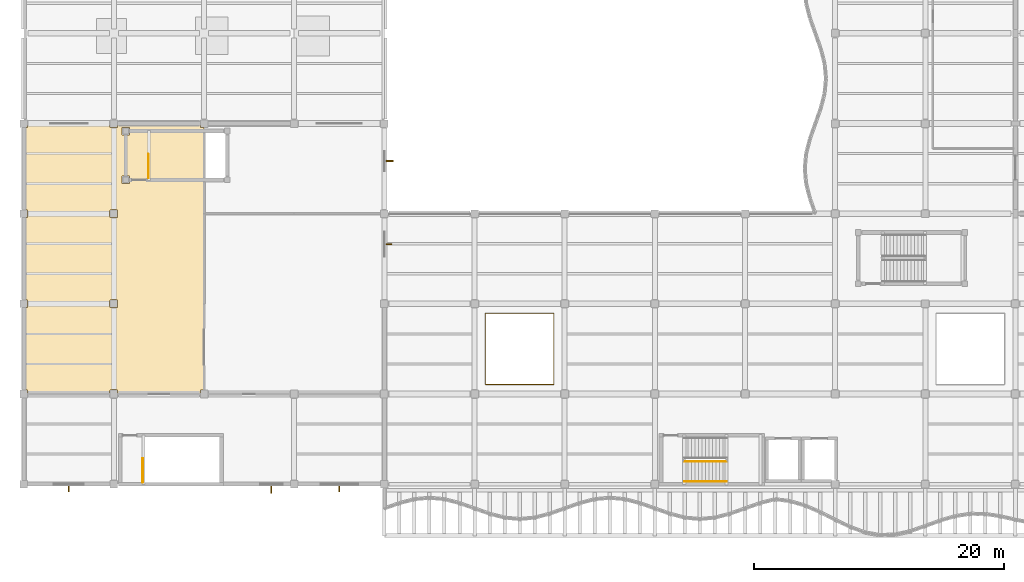
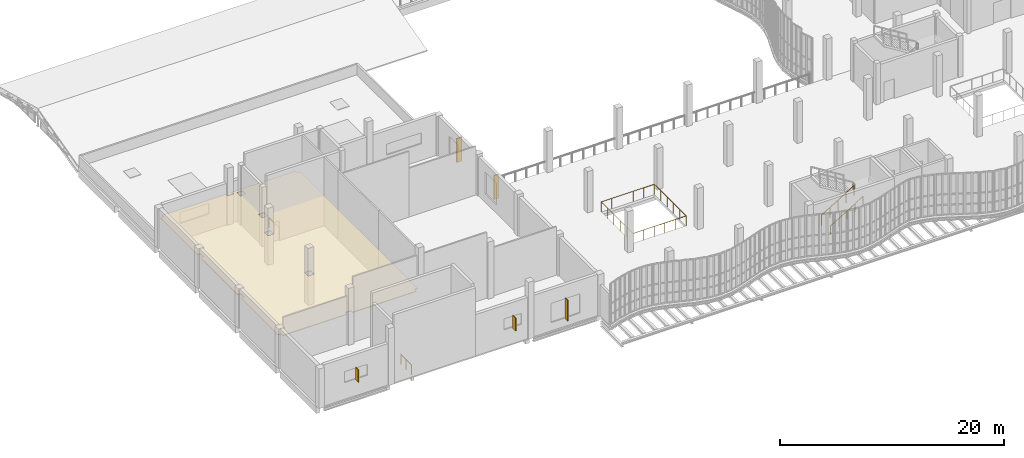
# One storey, part 95 of 105: 5 railings, 5 shading devices, 1 covering.
"""IFC4 building model written with IfcOpenShell, lengths in metres."""

from ifc_helpers import new_model, si_unit, direction, frame, origin, origin_2d, place, context, subcontext, project, spatial, polyline, rectangle, circle, outline, extrude, material, layer, layer_set, type_object, element, save


model = new_model("IFC4")

# Units and contexts
model_context = context("Model", 3, precision=1e-05, world=origin(), true_north=direction((0.0, 1.0)))
body_context = subcontext(model_context, "Body", "Model", "MODEL_VIEW")
ifc_project = project(units=[si_unit("LENGTHUNIT", "METRE"), si_unit("AREAUNIT", "SQUARE_METRE"), si_unit("VOLUMEUNIT", "CUBIC_METRE"), si_unit("PLANEANGLEUNIT", "RADIAN"), si_unit("MASSUNIT", "GRAM", prefix="KILO"), si_unit("THERMODYNAMICTEMPERATUREUNIT", "KELVIN"), si_unit("POWERUNIT", "WATT")], contexts=[model_context])

# Site, building, storey
site_placement = place(None, origin())
site = spatial("IfcSite", under=ifc_project, at=site_placement, CompositionType="ELEMENT")
building_placement = place(site_placement, origin())
building = spatial("IfcBuilding", under=site, at=building_placement, Name="Kaldorven Railside Theatre", CompositionType="ELEMENT")
storey_placement = place(building_placement, frame((0.0, 0.0, 9.89990234375)))
storey = spatial("IfcBuildingStorey", under=building, at=storey_placement, Name="L02", CompositionType="ELEMENT", Elevation=9.89990234375)

# Covering
ifc_material_1 = material(Name="Acoustic hardwood timber", Category="wood")
ifc_layer = layer(ifc_material_1, 0.080078125, Name="Acoustic hardwood timber")
ifc_layer_set = layer_set([ifc_layer], Name="Acoustic hardwood timber")
covering_type = type_object("IfcCoveringType", Name="COV-CLG-02", PredefinedType="CEILING", material=ifc_layer_set)
covering_placement = place(storey_placement, frame((0.0, 0.0, 3.170166015625)))
element("IfcCovering", 1, at=covering_placement, inside=storey, type_object=covering_type, Name="Studio Technical Gallery Acoustic Ceiling 016", PredefinedType="CEILING", context=body_context, shape_type="SweptSolid", body=[
    extrude(outline(polyline([(22.39990234375, 26.701904296875), (22.097900390625, 26.701904296875), (22.097900390625, 26.39990234375), (15.501953125, 26.39990234375), (15.501953125, 26.701904296875), (14.89794921875, 26.701904296875), (14.89794921875, 26.39990234375), (8.302001953125, 26.39990234375), (8.302001953125, 26.701904296875), (8.0, 26.701904296875), (8.0, 33.298095703125), (8.302001953125, 33.298095703125), (8.302001953125, 33.902099609375), (8.0, 33.902099609375), (8.0, 40.498046875), (8.302001953125, 40.498046875), (8.302001953125, 41.10205078125), (8.0, 41.10205078125), (8.0, 47.697998046875), (8.302001953125, 47.697998046875), (8.302001953125, 48.0), (14.89794921875, 48.0), (14.89794921875, 47.697998046875), (15.501953125, 47.697998046875), (15.501953125, 48.0), (22.097900390625, 48.0), (22.097900390625, 47.697998046875), (22.39990234375, 47.697998046875), (22.39990234375, 26.701904296875)]), holes=[polyline([(14.89794921875, 33.902099609375), (14.89794921875, 33.298095703125), (15.501953125, 33.298095703125), (15.501953125, 33.902099609375), (14.89794921875, 33.902099609375)]), polyline([(14.89794921875, 41.10205078125), (14.89794921875, 40.498046875), (15.501953125, 40.498046875), (15.501953125, 41.10205078125), (14.89794921875, 41.10205078125)]), polyline([(15.847900390625, 43.802001953125), (15.847900390625, 43.197998046875), (16.451904296875, 43.197998046875), (16.451904296875, 43.802001953125), (15.847900390625, 43.802001953125)]), polyline([(15.847900390625, 47.701904296875), (15.847900390625, 47.097900390625), (16.451904296875, 47.097900390625), (16.451904296875, 47.701904296875), (15.847900390625, 47.701904296875)])]), origin(), (0.0, 0.0, 1.0), 0.079833984375),
])

# Railings
ifc_material_2 = material(Name="Anodised bronze aluminium", Category="aluminium")
railing_type_1 = type_object("IfcRailingType", Name="RLG-BAL-1100", PredefinedType="BALUSTRADE", material=ifc_material_2)
railing_1_placement = place(storey_placement, frame((44.860107421875, 32.840087890625, 0.0)))
element("IfcRailing", 2, at=railing_1_placement, inside=storey, type_object=railing_type_1, Name="L02 Safety Balustrade GR-102", PredefinedType="BALUSTRADE", context=body_context, shape_type="SweptSolid", body=[
    extrude(circle(Radius=0.02392578125, at=origin_2d()), frame((0.0, 0.0, 1.09619140625), z_axis=(0.0, -1.0, 0.0), x_axis=(1.0, 0.0, 0.0)), (0.0, 0.0, 1.0), 5.68017578125),
    extrude(circle(Radius=0.02392578125, at=origin_2d()), frame((0.0, -5.68017578125, 1.09619140625), z_axis=(1.0, 0.0, 0.0), x_axis=(0.0, 1.0, 0.0)), (0.0, 0.0, 1.0), 5.47998046875),
    extrude(circle(Radius=0.02392578125, at=origin_2d()), frame((5.47998046875, -5.68017578125, 1.09619140625), z_axis=(0.0, 1.0, 0.0), x_axis=(-1.0, 0.0, 0.0)), (0.0, 0.0, 1.0), 5.68017578125),
    extrude(circle(Radius=0.02392578125, at=origin_2d()), frame((5.47998046875, 0.0, 1.09619140625), z_axis=(-1.0, 0.0, 0.0), x_axis=(0.0, -1.0, 0.0)), (0.0, 0.0, 1.0), 5.47998046875),
    extrude(circle(Radius=0.02099609375, at=origin_2d()), origin(), (0.0, 0.0, 1.0), 1.072021484375),
    extrude(circle(Radius=0.02099609375, at=origin_2d()), frame((0.0, -1.135986328125, 0.0)), (0.0, 0.0, 1.0), 1.072021484375),
    extrude(circle(Radius=0.02099609375, at=origin_2d()), frame((0.0, -2.27197265625, 0.0)), (0.0, 0.0, 1.0), 1.072021484375),
    extrude(circle(Radius=0.02099609375, at=origin_2d()), frame((0.0, -3.408203125, 0.0)), (0.0, 0.0, 1.0), 1.072021484375),
    extrude(circle(Radius=0.02099609375, at=origin_2d()), frame((0.0, -4.544189453125, 0.0)), (0.0, 0.0, 1.0), 1.072021484375),
    extrude(circle(Radius=0.02099609375, at=origin_2d()), frame((0.0, -5.68017578125, 0.0)), (0.0, 0.0, 1.0), 1.072021484375),
    extrude(circle(Radius=0.02099609375, at=origin_2d()), frame((1.095947265625, -5.68017578125, 0.0)), (0.0, 0.0, 1.0), 1.072021484375),
    extrude(circle(Radius=0.02099609375, at=origin_2d()), frame((2.19189453125, -5.68017578125, 0.0)), (0.0, 0.0, 1.0), 1.072021484375),
    extrude(circle(Radius=0.02099609375, at=origin_2d()), frame((3.2880859375, -5.68017578125, 0.0)), (0.0, 0.0, 1.0), 1.072021484375),
    extrude(circle(Radius=0.02099609375, at=origin_2d()), frame((4.384033203125, -5.68017578125, 0.0)), (0.0, 0.0, 1.0), 1.072021484375),
    extrude(circle(Radius=0.02099609375, at=origin_2d()), frame((5.47998046875, -5.68017578125, 0.0)), (0.0, 0.0, 1.0), 1.072021484375),
    extrude(circle(Radius=0.02099609375, at=origin_2d()), frame((5.47998046875, -4.544189453125, 0.0)), (0.0, 0.0, 1.0), 1.072021484375),
    extrude(circle(Radius=0.02099609375, at=origin_2d()), frame((5.47998046875, -3.408203125, 0.0)), (0.0, 0.0, 1.0), 1.072021484375),
    extrude(circle(Radius=0.02099609375, at=origin_2d()), frame((5.47998046875, -2.27197265625, 0.0)), (0.0, 0.0, 1.0), 1.072021484375),
    extrude(circle(Radius=0.02099609375, at=origin_2d()), frame((5.47998046875, -1.135986328125, 0.0)), (0.0, 0.0, 1.0), 1.072021484375),
    extrude(circle(Radius=0.02099609375, at=origin_2d()), frame((5.47998046875, 0.0, 0.0)), (0.0, 0.0, 1.0), 1.072021484375),
    extrude(circle(Radius=0.02099609375, at=origin_2d()), frame((4.384033203125, 0.0, 0.0)), (0.0, 0.0, 1.0), 1.072021484375),
    extrude(circle(Radius=0.02099609375, at=origin_2d()), frame((3.2880859375, 0.0, 0.0)), (0.0, 0.0, 1.0), 1.072021484375),
    extrude(circle(Radius=0.02099609375, at=origin_2d()), frame((2.19189453125, 0.0, 0.0)), (0.0, 0.0, 1.0), 1.072021484375),
    extrude(circle(Radius=0.02099609375, at=origin_2d()), frame((1.095947265625, 0.0, 0.0)), (0.0, 0.0, 1.0), 1.072021484375),
])
ifc_material_3 = material(Name="Steel S355", Category="steel")
railing_type_2 = type_object("IfcRailingType", Name="RLG-STG-1100", PredefinedType="BALUSTRADE", material=ifc_material_3)
railing_2_placement = place(storey_placement, frame((17.5, 19.35009765625, 0.0)))
element("IfcRailing", 3, at=railing_2_placement, inside=storey, type_object=railing_type_2, Name="L02 ST-01 top well guard 1", PredefinedType="BALUSTRADE", context=body_context, shape_type="SweptSolid", body=[
    extrude(circle(Radius=0.02392578125, at=origin_2d()), frame((0.0, 0.0, 1.09619140625), z_axis=(0.0, 1.0, 0.0), x_axis=(-1.0, 0.0, 0.0)), (0.0, 0.0, 1.0), 1.89990234375),
    extrude(circle(Radius=0.02099609375, at=origin_2d()), origin(), (0.0, 0.0, 1.0), 1.072021484375),
    extrude(circle(Radius=0.02099609375, at=origin_2d()), frame((0.0, 0.949951171875, 0.0)), (0.0, 0.0, 1.0), 1.072021484375),
    extrude(circle(Radius=0.02099609375, at=origin_2d()), frame((0.0, 1.89990234375, 0.0)), (0.0, 0.0, 1.0), 1.072021484375),
])
railing_3_placement = place(storey_placement, frame((17.949951171875, 43.64990234375, 0.0)))
element("IfcRailing", 4, at=railing_3_placement, inside=storey, type_object=railing_type_2, Name="L02 ST-02 top well guard 1", PredefinedType="BALUSTRADE", context=body_context, shape_type="SweptSolid", body=[
    extrude(circle(Radius=0.02392578125, at=origin_2d()), frame((0.0, 0.0, 1.09619140625), z_axis=(0.0, 1.0, 0.0), x_axis=(-1.0, 0.0, 0.0)), (0.0, 0.0, 1.0), 1.900146484375),
    extrude(circle(Radius=0.02099609375, at=origin_2d()), origin(), (0.0, 0.0, 1.0), 1.072021484375),
    extrude(circle(Radius=0.02099609375, at=origin_2d()), frame((0.0, 0.9501953125, 0.0)), (0.0, 0.0, 1.0), 1.072021484375),
    extrude(circle(Radius=0.02099609375, at=origin_2d()), frame((0.0, 1.900146484375, 0.0)), (0.0, 0.0, 1.0), 1.072021484375),
])
railing_4_placement = place(storey_placement, frame((60.75, 21.0, 0.173095703125)))
element("IfcRailing", 5, at=railing_4_placement, inside=storey, type_object=railing_type_2, Name="L02 ST-03 stair guard 1", PredefinedType="BALUSTRADE", context=body_context, shape_type="SweptSolid", body=[
    extrude(circle(Radius=0.02392578125, at=origin_2d()), frame((0.0, 0.0, 1.09619140625), z_axis=(0.850623216509, 0.0, 0.525775754039), x_axis=(0.0, 1.0, 0.0)), (0.0, 0.0, 1.0), 3.9501953125),
    extrude(circle(Radius=0.02099609375, at=origin_2d()), origin(), (0.0, 0.0, 1.0), 1.072021484375),
    extrude(circle(Radius=0.02099609375, at=origin_2d()), frame((0.840087890625, 0.0, 0.519287109375)), (0.0, 0.0, 1.0), 1.072021484375),
    extrude(circle(Radius=0.02099609375, at=origin_2d()), frame((1.68017578125, 0.0, 1.03857421875)), (0.0, 0.0, 1.0), 1.072021484375),
    extrude(circle(Radius=0.02099609375, at=origin_2d()), frame((2.52001953125, 0.0, 1.5576171875)), (0.0, 0.0, 1.0), 1.072021484375),
    extrude(circle(Radius=0.02099609375, at=origin_2d()), frame((3.360107421875, 0.0, 2.076904296875)), (0.0, 0.0, 1.0), 1.072021484375),
])
railing_type_3 = type_object("IfcRailingType", Name="RLG-STH-900", PredefinedType="HANDRAIL", material=ifc_material_3)
railing_5_placement = place(storey_placement, frame((60.75, 19.39990234375, 0.173095703125)))
element("IfcRailing", 6, at=railing_5_placement, inside=storey, type_object=railing_type_3, Name="L02 ST-03 stair handrail 1", PredefinedType="HANDRAIL", context=body_context, shape_type="SweptSolid", body=[
    extrude(circle(Radius=0.02392578125, at=origin_2d()), frame((0.0, 0.0, 0.8759765625), z_axis=(0.850623216509, 0.0, 0.525775754039), x_axis=(0.0, 1.0, 0.0)), (0.0, 0.0, 1.0), 3.9501953125),
    extrude(circle(Radius=0.02099609375, at=origin_2d()), origin(), (0.0, 0.0, 1.0), 0.851806640625),
    extrude(circle(Radius=0.02099609375, at=origin_2d()), frame((0.840087890625, 0.0, 0.519287109375)), (0.0, 0.0, 1.0), 0.851806640625),
    extrude(circle(Radius=0.02099609375, at=origin_2d()), frame((1.68017578125, 0.0, 1.03857421875)), (0.0, 0.0, 1.0), 0.851806640625),
    extrude(circle(Radius=0.02099609375, at=origin_2d()), frame((2.52001953125, 0.0, 1.5576171875)), (0.0, 0.0, 1.0), 0.851806640625),
    extrude(circle(Radius=0.02099609375, at=origin_2d()), frame((3.360107421875, 0.0, 2.076904296875)), (0.0, 0.0, 1.0), 0.851806640625),
])

# Shading devices
shading_device_type_1 = type_object("IfcShadingDeviceType", Name="SHD-FIN-01", PredefinedType="USERDEFINED", material=ifc_material_2)
shading_device_1_placement = place(storey_placement, frame((33.199951171875, 18.819091796875, 0.80029296875), z_axis=(0.0, 0.0, 1.0), x_axis=(-1.0, 0.0, 0.0)))
element("IfcShadingDevice", 7, at=shading_device_1_placement, inside=storey, type_object=shading_device_type_1, Name="Anodised-Bronze Brise-Soleil Fin FIN-013", ObjectType="SUNSHADE", PredefinedType="USERDEFINED", context=body_context, shape_type="SweptSolid", body=[
    extrude(rectangle(XDim=0.080078125, YDim=0.449951171875, at=origin_2d()), origin(), (0.0, 0.0, 1.0), 2.300048828125),
])
shading_device_2_placement = place(storey_placement, frame((11.60009765625, 18.819091796875, 1.7001953125), z_axis=(0.0, 0.0, 1.0), x_axis=(-1.0, 0.0, 0.0)))
element("IfcShadingDevice", 8, at=shading_device_2_placement, inside=storey, type_object=shading_device_type_1, Name="Anodised-Bronze Brise-Soleil Fin FIN-015", ObjectType="SUNSHADE", PredefinedType="USERDEFINED", context=body_context, shape_type="SweptSolid", body=[
    extrude(rectangle(XDim=0.080078125, YDim=0.449951171875, at=origin_2d()), origin(), (0.0, 0.0, 1.0), 1.39990234375),
])
shading_device_3_placement = place(storey_placement, frame((37.180908203125, 38.35009765625, 0.800048828125), z_axis=(0.0, 0.0, 1.0), x_axis=(0.0, -1.0, 0.0)))
element("IfcShadingDevice", 9, at=shading_device_3_placement, inside=storey, type_object=shading_device_type_1, Name="Anodised-Bronze Brise-Soleil Fin FIN-017", ObjectType="SUNSHADE", PredefinedType="USERDEFINED", context=body_context, shape_type="SweptSolid", body=[
    extrude(rectangle(XDim=0.080078125, YDim=0.449951171875, at=origin_2d()), origin(), (0.0, 0.0, 1.0), 2.60009765625),
])
shading_device_type_2 = type_object("IfcShadingDeviceType", Name="SHD-FIN-02", PredefinedType="USERDEFINED", material=ifc_material_2)
shading_device_4_placement = place(storey_placement, frame((27.77490234375, 18.76904296875, 1.7001953125), z_axis=(0.0, 0.0, 1.0), x_axis=(-1.0, 0.0, 0.0)))
element("IfcShadingDevice", 10, at=shading_device_4_placement, inside=storey, type_object=shading_device_type_2, Name="Anodised-Bronze Brise-Soleil Fin FIN-014", ObjectType="SUNSHADE", PredefinedType="USERDEFINED", context=body_context, shape_type="SweptSolid", body=[
    extrude(rectangle(XDim=0.10009765625, YDim=0.550048828125, at=origin_2d()), origin(), (0.0, 0.0, 1.0), 1.39990234375),
])
shading_device_5_placement = place(storey_placement, frame((37.23095703125, 45.0, 0.800048828125), z_axis=(0.0, 0.0, 1.0), x_axis=(0.0, -1.0, 0.0)))
element("IfcShadingDevice", 11, at=shading_device_5_placement, inside=storey, type_object=shading_device_type_2, Name="Anodised-Bronze Brise-Soleil Fin FIN-016", ObjectType="SUNSHADE", PredefinedType="USERDEFINED", context=body_context, shape_type="SweptSolid", body=[
    extrude(rectangle(XDim=0.10009765625, YDim=0.550048828125, at=origin_2d()), origin(), (0.0, 0.0, 1.0), 2.60009765625),
])

save(model, "model.ifc")
